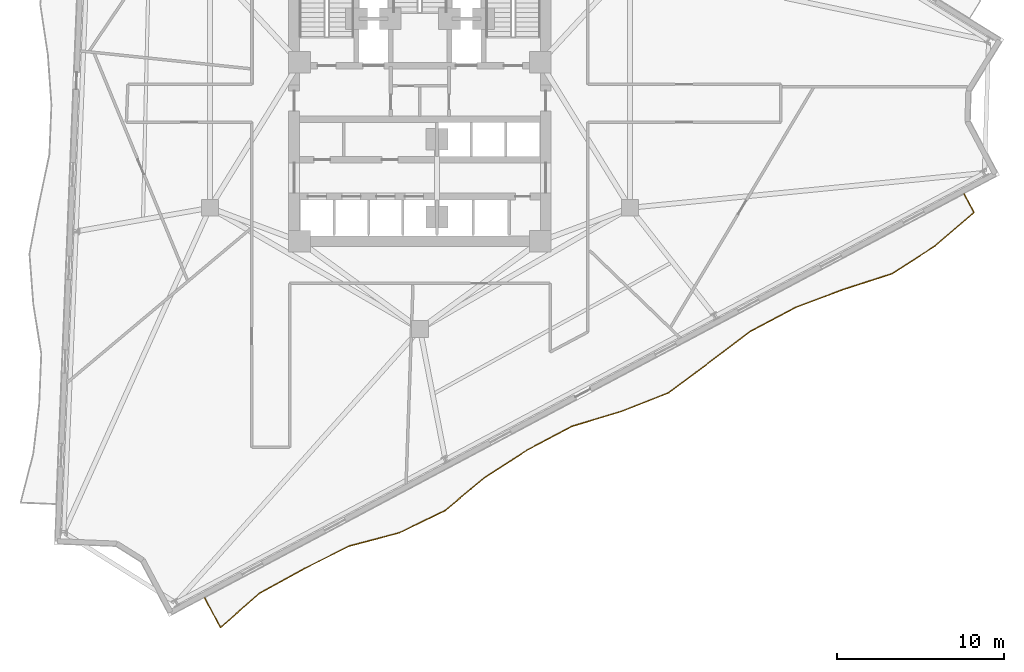
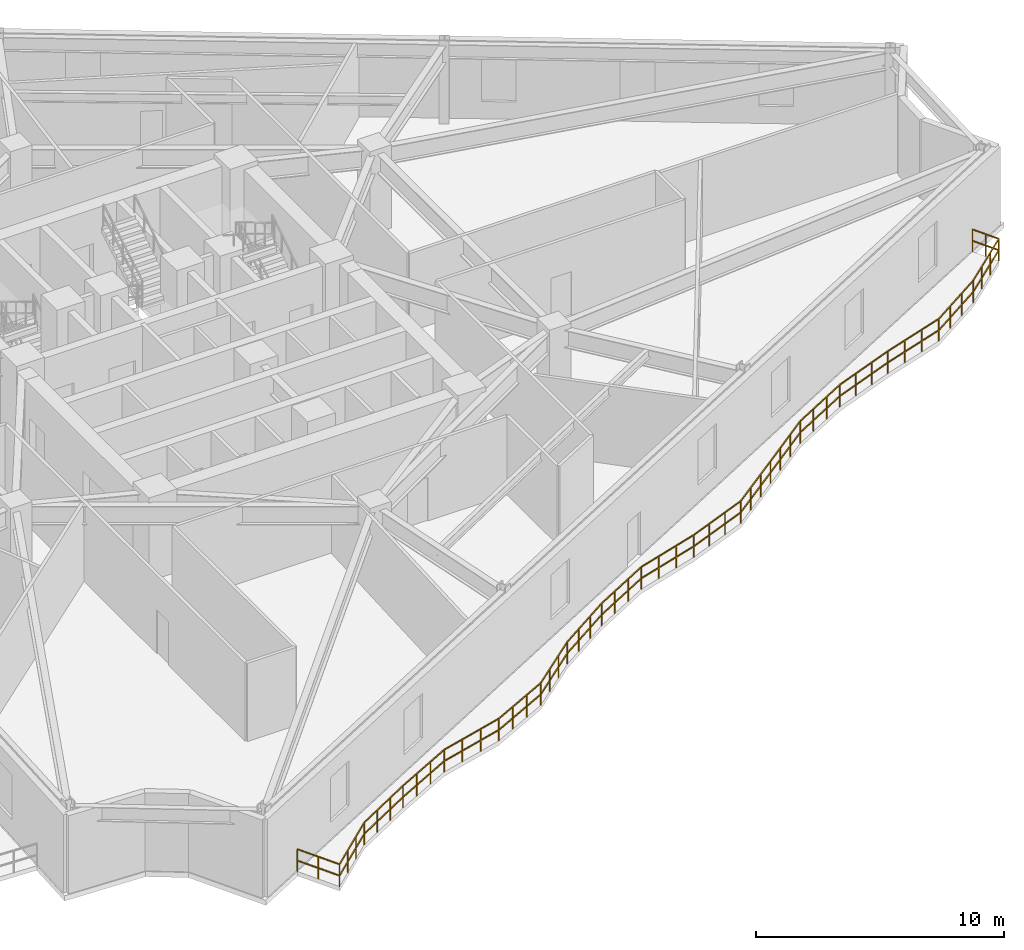
# One storey, part 9 of 12: 1 railing.
"""IFC4 building model written with IfcOpenShell, lengths in metres."""

import ifcopenshell
import ifcopenshell.guid

model = None  # the IFC model being written
_history = None  # IfcOwnerHistory: only IFC2X3 demands one
_inside = {}  # id of a spatial element -> (the spatial element, [elements in it])
_under = {}  # id of a project, library or spatial element -> (it, [spatial elements below it])
_declared = {}  # id of a project -> (the project, [libraries it declares])
_typed = {}  # id of a type object -> (the type object, [elements of that type])
_made_of = {}  # id of a material, layer set ... -> (it, [elements and type objects made of it])


def new_model(schema):
    """Start an empty IFC model of exactly this schema.

    Asked for "IFC4X3", IfcOpenShell would pick the latest addendum, in which some entities
    have other attributes; the version numbers below select the first issue.
    IFC2X3 requires an IfcOwnerHistory on every rooted entity: one is made here for all.
    """
    global model, _history
    if schema == "IFC4X3":
        model = ifcopenshell.file(schema_version=(4, 3, 0, 0))
    else:
        model = ifcopenshell.file(schema=schema)
    _inside.clear()
    _under.clear()
    _declared.clear()
    _typed.clear()
    _made_of.clear()
    _history = None
    if model.schema == "IFC2X3":
        org = make("IfcOrganization", Name="unknown")
        user = make(
            "IfcPersonAndOrganization",
            ThePerson=make("IfcPerson", FamilyName="unknown"),
            TheOrganization=org,
        )
        app = make(
            "IfcApplication",
            ApplicationDeveloper=org,
            Version="unknown",
            ApplicationFullName="unknown",
            ApplicationIdentifier="unknown",
        )
        _history = make(
            "IfcOwnerHistory",
            OwningUser=user,
            OwningApplication=app,
            ChangeAction="ADDED",
            CreationDate=0,
        )
    return model


def make(cls, **values):
    """One entity of the class cls with the attributes given. An attribute that is None is left unset."""
    return model.create_entity(
        cls, **{name: value for name, value in values.items() if value is not None}
    )


def rooted(cls, **values):
    """An entity with a GlobalId (a new one), such as an element, a storey or a relation."""
    return make(cls, GlobalId=ifcopenshell.guid.new(), OwnerHistory=_history, **values)


def si_unit(unit_type, name, prefix=None):
    """IfcSIUnit, for example si_unit("LENGTHUNIT", "METRE", prefix="MILLI")."""
    return make("IfcSIUnit", UnitType=unit_type, Prefix=prefix, Name=name)


def assignment(units):
    """IfcUnitAssignment: the units of a project."""
    return None if units is None else make("IfcUnitAssignment", Units=units)


def point(xyz):
    """IfcCartesianPoint."""
    return None if xyz is None else make("IfcCartesianPoint", Coordinates=xyz)


def direction(xyz):
    """IfcDirection."""
    return None if xyz is None else make("IfcDirection", DirectionRatios=xyz)


def frame(location, z_axis=None, x_axis=None):
    """IfcAxis2Placement3D, a coordinate frame: its origin and axes. An axis left out is left unset."""
    return make(
        "IfcAxis2Placement3D",
        Location=point(location),
        Axis=direction(z_axis),
        RefDirection=direction(x_axis),
    )


def frame_2d(location, x_axis=None):
    """IfcAxis2Placement2D, a coordinate frame in the plane: its origin and x axis."""
    return make(
        "IfcAxis2Placement2D", Location=point(location), RefDirection=direction(x_axis)
    )


def origin():
    """The frame at (0, 0, 0) with its axes left unset."""
    return frame((0.0, 0.0, 0.0))


def origin_2d():
    """The frame at (0, 0) in the plane with its x axis left unset."""
    return frame_2d((0.0, 0.0))


def place(relative_to, where):
    """IfcLocalPlacement: puts the frame where relative to a parent placement (None: the world)."""
    return make(
        "IfcLocalPlacement", PlacementRelTo=relative_to, RelativePlacement=where
    )


def context(
    kind, dimensions, precision=None, world=None, true_north=None, identifier=None
):
    """IfcGeometricRepresentationContext, for example the 3D "Model" context."""
    return make(
        "IfcGeometricRepresentationContext",
        ContextIdentifier=identifier,
        ContextType=kind,
        CoordinateSpaceDimension=dimensions,
        Precision=precision,
        WorldCoordinateSystem=world,
        TrueNorth=true_north,
    )


def subcontext(parent, identifier, kind, view, scale=None):
    """IfcGeometricRepresentationSubContext, for example "Body" below "Model"."""
    return make(
        "IfcGeometricRepresentationSubContext",
        ContextIdentifier=identifier,
        ContextType=kind,
        ParentContext=parent,
        TargetScale=scale,
        TargetView=view,
    )


def project(units=None, contexts=None):
    """IfcProject with its units and contexts."""
    return rooted(
        "IfcProject",
        Name="project",
        RepresentationContexts=contexts,
        UnitsInContext=assignment(units),
    )


def spatial(cls, under=None, at=None, **own):
    """A site, building, storey or space (cls), placed at a placement, below another one or the project."""
    s = rooted(cls, ObjectPlacement=at, **own)
    if under is not None:
        _under.setdefault(under.id(), (under, []))[1].append(s)
    return s


def profile(cls, at=None, kind="AREA", **sizes):
    """A parametric profile (cls). Its sizes go by their IFC names, for example OverallWidth=200.0."""
    return make(cls, ProfileType=kind, Position=at, **sizes)


def rectangle(**sizes):
    """IfcRectangleProfileDef."""
    return profile("IfcRectangleProfileDef", **sizes)


def extrude(swept, where, along, depth):
    """IfcExtrudedAreaSolid: the profile swept, set in the frame where, extruded along a direction by depth."""
    return make(
        "IfcExtrudedAreaSolid",
        SweptArea=swept,
        Position=where,
        ExtrudedDirection=direction(along),
        Depth=depth,
    )


def shape(context_of_items, identifier, shape_type, items):
    """IfcShapeRepresentation: the items that make up one representation, for example the "Body"."""
    return make(
        "IfcShapeRepresentation",
        ContextOfItems=context_of_items,
        RepresentationIdentifier=identifier,
        RepresentationType=shape_type,
        Items=items,
    )


def material(Name=None, Category=None):
    """IfcMaterial."""
    return make("IfcMaterial", Name=Name, Category=Category)


def made_of(thing, what):
    """Note that an element or type object is made of a material, layer set ...; save() writes the relation."""
    if what is not None:
        _made_of.setdefault(what.id(), (what, []))[1].append(thing)
    return thing


def type_object(cls, material=None, **own):
    """A type object (cls), such as IfcWallType, which elements share."""
    return made_of(rooted(cls, **own), material)


def element(
    cls,
    number,
    at=None,
    inside=None,
    cuts=None,
    type_object=None,
    material=None,
    context=None,
    identifier="Body",
    shape_type=None,
    held_by="IfcProductDefinitionShape",
    body=None,
    shapes=None,
    **own,
):
    """One element of the class cls, such as IfcWall. Its Tag is "e" and its number.

    at: its placement. inside: the storey or other place that contains it. cuts: it is an
    opening in that element (IfcRelVoidsElement). A single representation is given by context,
    identifier, shape_type and body (its items); several are given by shapes. held_by: the class
    of the entity that holds the representations. save() writes the other relations.
    """
    e = rooted(cls, Tag="e%d" % number, ObjectPlacement=at, **own)
    if body is not None:
        shapes = [shape(context, identifier, shape_type, body)]
    if shapes is not None:
        e.Representation = make(held_by, Representations=shapes)
    if inside is not None:
        _inside.setdefault(inside.id(), (inside, []))[1].append(e)
    if cuts is not None:
        rooted(
            "IfcRelVoidsElement", RelatingBuildingElement=cuts, RelatedOpeningElement=e
        )
    if type_object is not None:
        _typed.setdefault(type_object.id(), (type_object, []))[1].append(e)
    return made_of(e, material)


def aggregate(whole, parts):
    """IfcRelAggregates: a whole, such as a stair, and the parts it consists of."""
    return rooted("IfcRelAggregates", RelatingObject=whole, RelatedObjects=parts)


def save(model, path):
    """Write the relations noted so far, then the file.

    IfcRelAggregates (storeys below a building ...), IfcRelContainedInSpatialStructure (elements
    in a storey), IfcRelDefinesByType, IfcRelAssociatesMaterial and IfcRelDeclares: one each for
    every whole, place, type object, material and project.
    """
    for whole, parts in _under.values():
        aggregate(whole, parts)
    for where, things in _inside.values():
        rooted(
            "IfcRelContainedInSpatialStructure",
            RelatedElements=things,
            RelatingStructure=where,
        )
    for kind, things in _typed.values():
        rooted("IfcRelDefinesByType", RelatedObjects=things, RelatingType=kind)
    for what, things in _made_of.values():
        rooted("IfcRelAssociatesMaterial", RelatedObjects=things, RelatingMaterial=what)
    for by, libraries in _declared.values():
        rooted("IfcRelDeclares", RelatingContext=by, RelatedDefinitions=libraries)
    model.write(path)


model = new_model("IFC4")

# Units and contexts
model_context = context("Model", 3, precision=1e-05, world=origin(), true_north=direction((0.0, 1.0)))
body_context = subcontext(model_context, "Body", "Model", "MODEL_VIEW")
ifc_project = project(units=[si_unit("LENGTHUNIT", "METRE"), si_unit("AREAUNIT", "SQUARE_METRE"), si_unit("VOLUMEUNIT", "CUBIC_METRE"), si_unit("PLANEANGLEUNIT", "RADIAN"), si_unit("MASSUNIT", "GRAM", prefix="KILO")], contexts=[model_context])

# Site, building, storey
site_placement = place(None, origin())
site = spatial("IfcSite", under=ifc_project, at=site_placement, CompositionType="ELEMENT")
building_placement = place(site_placement, origin())
building = spatial("IfcBuilding", under=site, at=building_placement, Name="Apsidion Concourse Tower", CompositionType="ELEMENT")
storey_placement = place(building_placement, frame((0.0, 0.0, 173.699951171875)))
storey = spatial("IfcBuildingStorey", under=building, at=storey_placement, Name="L40", CompositionType="ELEMENT", Elevation=173.699951171875)

# Railing
ifc_material = material(Name="Brushed stainless steel 316", Category="steel")
railing_type = type_object("IfcRailingType", Name="RL-BAL-1120", PredefinedType="BALUSTRADE", material=ifc_material)
railing_placement = place(storey_placement, frame((32.549560546875, -6.426025390625, 0.0)))
element("IfcRailing", 1, at=railing_placement, inside=storey, type_object=railing_type, Name="L40 Face 2 Rippling Balcony Balustrade", PredefinedType="BALUSTRADE", context=body_context, shape_type="SweptSolid", body=[
    extrude(rectangle(XDim=0.048095703125, YDim=0.048095703125, at=origin_2d()), frame((0.0, 0.0, 1.09619140625), z_axis=(0.469493130662, -0.882936124678, 0.0), x_axis=(0.882936124678, 0.469493130662, 0.0)), (0.0, 0.0, 1.0), 1.25),
    extrude(rectangle(XDim=0.048095703125, YDim=0.048095703125, at=origin_2d()), frame((0.0, 0.0, 0.5361328125), z_axis=(0.469493130662, -0.882936124678, 0.0), x_axis=(0.882936124678, 0.469493130662, 0.0)), (0.0, 0.0, 1.0), 1.25),
    extrude(rectangle(XDim=0.048095703125, YDim=0.048095703125, at=origin_2d()), frame((0.5869140625, -1.103759765625, 1.09619140625), z_axis=(-0.758934222572, -0.651167294794, 0.0), x_axis=(0.651167294794, -0.758934222572, 0.0)), (0.0, 0.0, 1.0), 3.101318359375),
    extrude(rectangle(XDim=0.048095703125, YDim=0.048095703125, at=origin_2d()), frame((0.5869140625, -1.103759765625, 0.5361328125), z_axis=(-0.758934222572, -0.651167294794, 0.0), x_axis=(0.651167294794, -0.758934222572, 0.0)), (0.0, 0.0, 1.0), 3.101318359375),
    extrude(rectangle(XDim=0.048095703125, YDim=0.048095703125, at=origin_2d()), frame((-1.766845703125, -3.123291015625, 1.09619140625), z_axis=(-0.840679210703, -0.541533438203, 0.0), x_axis=(0.541533438203, -0.840679210703, 0.0)), (0.0, 0.0, 1.0), 3.036865234375),
    extrude(rectangle(XDim=0.048095703125, YDim=0.048095703125, at=origin_2d()), frame((-1.766845703125, -3.123291015625, 0.5361328125), z_axis=(-0.840679210703, -0.541533438203, 0.0), x_axis=(0.541533438203, -0.840679210703, 0.0)), (0.0, 0.0, 1.0), 3.036865234375),
    extrude(rectangle(XDim=0.048095703125, YDim=0.048095703125, at=origin_2d()), frame((-4.31982421875, -4.767822265625, 1.09619140625), z_axis=(-0.951527276038, -0.307564372053, 0.0), x_axis=(0.307564372053, -0.951527276038, 0.0)), (0.0, 0.0, 1.0), 3.073486328125),
    extrude(rectangle(XDim=0.048095703125, YDim=0.048095703125, at=origin_2d()), frame((-4.31982421875, -4.767822265625, 0.5361328125), z_axis=(-0.951527276038, -0.307564372053, 0.0), x_axis=(0.307564372053, -0.951527276038, 0.0)), (0.0, 0.0, 1.0), 3.073486328125),
    extrude(rectangle(XDim=0.048095703125, YDim=0.048095703125, at=origin_2d()), frame((-7.244384765625, -5.713134765625, 1.09619140625), z_axis=(-0.936088956542, -0.351763365688, 0.0), x_axis=(0.351763365688, -0.936088956542, 0.0)), (0.0, 0.0, 1.0), 3.0517578125),
    extrude(rectangle(XDim=0.048095703125, YDim=0.048095703125, at=origin_2d()), frame((-7.244384765625, -5.713134765625, 0.5361328125), z_axis=(-0.936088956542, -0.351763365688, 0.0), x_axis=(0.351763365688, -0.936088956542, 0.0)), (0.0, 0.0, 1.0), 3.0517578125),
    extrude(rectangle(XDim=0.048095703125, YDim=0.048095703125, at=origin_2d()), frame((-10.10107421875, -6.78662109375, 1.09619140625), z_axis=(-0.88294852993, -0.469469800408, 0.0), x_axis=(0.469469800408, -0.88294852993, 0.0)), (0.0, 0.0, 1.0), 3.026123046875),
    extrude(rectangle(XDim=0.048095703125, YDim=0.048095703125, at=origin_2d()), frame((-10.10107421875, -6.78662109375, 0.5361328125), z_axis=(-0.88294852993, -0.469469800408, 0.0), x_axis=(0.469469800408, -0.88294852993, 0.0)), (0.0, 0.0, 1.0), 3.026123046875),
    extrude(rectangle(XDim=0.048095703125, YDim=0.048095703125, at=origin_2d()), frame((-12.77294921875, -8.207275390625, 1.09619140625), z_axis=(-0.798630617411, -0.601821515844, 0.0), x_axis=(0.601821515844, -0.798630617411, 0.0)), (0.0, 0.0, 1.0), 3.06396484375),
    extrude(rectangle(XDim=0.048095703125, YDim=0.048095703125, at=origin_2d()), frame((-12.77294921875, -8.207275390625, 0.5361328125), z_axis=(-0.798630617411, -0.601821515844, 0.0), x_axis=(0.601821515844, -0.798630617411, 0.0)), (0.0, 0.0, 1.0), 3.06396484375),
    extrude(rectangle(XDim=0.048095703125, YDim=0.048095703125, at=origin_2d()), frame((-15.219970703125, -10.05126953125, 1.09619140625), z_axis=(-0.800974845842, -0.598698000939, 0.0), x_axis=(0.598698000939, -0.800974845842, 0.0)), (0.0, 0.0, 1.0), 3.06201171875),
    extrude(rectangle(XDim=0.048095703125, YDim=0.048095703125, at=origin_2d()), frame((-15.219970703125, -10.05126953125, 0.5361328125), z_axis=(-0.800974845842, -0.598698000939, 0.0), x_axis=(0.598698000939, -0.800974845842, 0.0)), (0.0, 0.0, 1.0), 3.06201171875),
    extrude(rectangle(XDim=0.048095703125, YDim=0.048095703125, at=origin_2d()), frame((-17.672607421875, -11.884521484375, 1.09619140625), z_axis=(-0.930262526518, -0.366894578533, 0.0), x_axis=(0.366894578533, -0.930262526518, 0.0)), (0.0, 0.0, 1.0), 3.045654296875),
    extrude(rectangle(XDim=0.048095703125, YDim=0.048095703125, at=origin_2d()), frame((-17.672607421875, -11.884521484375, 0.5361328125), z_axis=(-0.930262526518, -0.366894578533, 0.0), x_axis=(0.366894578533, -0.930262526518, 0.0)), (0.0, 0.0, 1.0), 3.045654296875),
    extrude(rectangle(XDim=0.048095703125, YDim=0.048095703125, at=origin_2d()), frame((-20.505859375, -13.001953125, 1.09619140625), z_axis=(-0.957678078756, -0.287841445019, 0.0), x_axis=(0.287841445019, -0.957678078756, 0.0)), (0.0, 0.0, 1.0), 3.085693359375),
    extrude(rectangle(XDim=0.048095703125, YDim=0.048095703125, at=origin_2d()), frame((-20.505859375, -13.001953125, 0.5361328125), z_axis=(-0.957678078756, -0.287841445019, 0.0), x_axis=(0.287841445019, -0.957678078756, 0.0)), (0.0, 0.0, 1.0), 3.085693359375),
    extrude(rectangle(XDim=0.048095703125, YDim=0.048095703125, at=origin_2d()), frame((-23.4609375, -13.89013671875, 1.09619140625), z_axis=(-0.882932870124, -0.469499251176, 0.0), x_axis=(0.469499251176, -0.882932870124, 0.0)), (0.0, 0.0, 1.0), 3.0263671875),
    extrude(rectangle(XDim=0.048095703125, YDim=0.048095703125, at=origin_2d()), frame((-23.4609375, -13.89013671875, 0.5361328125), z_axis=(-0.882932870124, -0.469499251176, 0.0), x_axis=(0.469499251176, -0.882932870124, 0.0)), (0.0, 0.0, 1.0), 3.0263671875),
    extrude(rectangle(XDim=0.048095703125, YDim=0.048095703125, at=origin_2d()), frame((-26.133056640625, -15.31103515625, 1.09619140625), z_axis=(-0.839529178594, -0.54331460342, 0.0), x_axis=(0.54331460342, -0.839529178594, 0.0)), (0.0, 0.0, 1.0), 3.037109375),
    extrude(rectangle(XDim=0.048095703125, YDim=0.048095703125, at=origin_2d()), frame((-26.133056640625, -15.31103515625, 0.5361328125), z_axis=(-0.839529178594, -0.54331460342, 0.0), x_axis=(0.54331460342, -0.839529178594, 0.0)), (0.0, 0.0, 1.0), 3.037109375),
    extrude(rectangle(XDim=0.048095703125, YDim=0.048095703125, at=origin_2d()), frame((-28.682861328125, -16.961181640625, 1.09619140625), z_axis=(-0.76934029017, -0.638839195667, 0.0), x_axis=(0.638839195667, -0.76934029017, 0.0)), (0.0, 0.0, 1.0), 3.090576171875),
    extrude(rectangle(XDim=0.048095703125, YDim=0.048095703125, at=origin_2d()), frame((-28.682861328125, -16.961181640625, 0.5361328125), z_axis=(-0.76934029017, -0.638839195667, 0.0), x_axis=(0.638839195667, -0.76934029017, 0.0)), (0.0, 0.0, 1.0), 3.090576171875),
    extrude(rectangle(XDim=0.048095703125, YDim=0.048095703125, at=origin_2d()), frame((-31.060546875, -18.935546875, 1.09619140625), z_axis=(-0.899228230852, -0.43747981535, 0.0), x_axis=(0.43747981535, -0.899228230852, 0.0)), (0.0, 0.0, 1.0), 3.028076171875),
    extrude(rectangle(XDim=0.048095703125, YDim=0.048095703125, at=origin_2d()), frame((-31.060546875, -18.935546875, 0.5361328125), z_axis=(-0.899228230852, -0.43747981535, 0.0), x_axis=(0.43747981535, -0.899228230852, 0.0)), (0.0, 0.0, 1.0), 3.028076171875),
    extrude(rectangle(XDim=0.048095703125, YDim=0.048095703125, at=origin_2d()), frame((-33.783447265625, -20.26025390625, 1.09619140625), z_axis=(-0.966714372041, -0.255858013143, 0.0), x_axis=(0.255858013143, -0.966714372041, 0.0)), (0.0, 0.0, 1.0), 3.10791015625),
    extrude(rectangle(XDim=0.048095703125, YDim=0.048095703125, at=origin_2d()), frame((-33.783447265625, -20.26025390625, 0.5361328125), z_axis=(-0.966714372041, -0.255858013143, 0.0), x_axis=(0.255858013143, -0.966714372041, 0.0)), (0.0, 0.0, 1.0), 3.10791015625),
    extrude(rectangle(XDim=0.048095703125, YDim=0.048095703125, at=origin_2d()), frame((-36.787841796875, -21.055419921875, 1.09619140625), z_axis=(-0.893538264274, -0.448987049121, 0.0), x_axis=(0.448987049121, -0.893538264274, 0.0)), (0.0, 0.0, 1.0), 3.027099609375),
    extrude(rectangle(XDim=0.048095703125, YDim=0.048095703125, at=origin_2d()), frame((-36.787841796875, -21.055419921875, 0.5361328125), z_axis=(-0.893538264274, -0.448987049121, 0.0), x_axis=(0.448987049121, -0.893538264274, 0.0)), (0.0, 0.0, 1.0), 3.027099609375),
    extrude(rectangle(XDim=0.048095703125, YDim=0.048095703125, at=origin_2d()), frame((-39.49267578125, -22.41455078125, 1.09619140625), z_axis=(-0.875871654893, -0.482544137002, 0.0), x_axis=(0.482544137002, -0.875871654893, 0.0)), (0.0, 0.0, 1.0), 3.026611328125),
    extrude(rectangle(XDim=0.048095703125, YDim=0.048095703125, at=origin_2d()), frame((-39.49267578125, -22.41455078125, 0.5361328125), z_axis=(-0.875871654893, -0.482544137002, 0.0), x_axis=(0.482544137002, -0.875871654893, 0.0)), (0.0, 0.0, 1.0), 3.026611328125),
    extrude(rectangle(XDim=0.048095703125, YDim=0.048095703125, at=origin_2d()), frame((-42.1435546875, -23.875, 1.09619140625), z_axis=(-0.751432629675, -0.659809823403, 0.0), x_axis=(0.659809823403, -0.751432629675, 0.0)), (0.0, 0.0, 1.0), 3.109619140625),
    extrude(rectangle(XDim=0.048095703125, YDim=0.048095703125, at=origin_2d()), frame((-42.1435546875, -23.875, 0.5361328125), z_axis=(-0.751432629675, -0.659809823403, 0.0), x_axis=(0.659809823403, -0.751432629675, 0.0)), (0.0, 0.0, 1.0), 3.109619140625),
    extrude(rectangle(XDim=0.048095703125, YDim=0.048095703125, at=origin_2d()), frame((-44.480224609375, -25.9267578125, 1.09619140625), z_axis=(-0.469427602063, 0.882970965786, 0.0), x_axis=(-0.882970965786, -0.469427602063, 0.0)), (0.0, 0.0, 1.0), 2.009521484375),
    extrude(rectangle(XDim=0.048095703125, YDim=0.048095703125, at=origin_2d()), frame((-44.480224609375, -25.9267578125, 0.5361328125), z_axis=(-0.469427602063, 0.882970965786, 0.0), x_axis=(-0.882970965786, -0.469427602063, 0.0)), (0.0, 0.0, 1.0), 2.009521484375),
    extrude(rectangle(XDim=0.0419921875, YDim=0.0419921875, at=origin_2d()), origin(), (0.0, 0.0, 1.0), 1.072021484375),
    extrude(rectangle(XDim=0.0419921875, YDim=0.0419921875, at=origin_2d()), frame((0.29345703125, -0.5517578125, 0.0)), (0.0, 0.0, 1.0), 1.072021484375),
    extrude(rectangle(XDim=0.0419921875, YDim=0.0419921875, at=origin_2d()), frame((0.5869140625, -1.103759765625, 0.0)), (0.0, 0.0, 1.0), 1.072021484375),
    extrude(rectangle(XDim=0.0419921875, YDim=0.0419921875, at=origin_2d()), frame((-0.19775390625, -1.77685546875, 0.0)), (0.0, 0.0, 1.0), 1.072021484375),
    extrude(rectangle(XDim=0.0419921875, YDim=0.0419921875, at=origin_2d()), frame((-0.982177734375, -2.4501953125, 0.0)), (0.0, 0.0, 1.0), 1.072021484375),
    extrude(rectangle(XDim=0.0419921875, YDim=0.0419921875, at=origin_2d()), frame((-1.766845703125, -3.123291015625, 0.0)), (0.0, 0.0, 1.0), 1.072021484375),
    extrude(rectangle(XDim=0.0419921875, YDim=0.0419921875, at=origin_2d()), frame((-2.617919921875, -3.67138671875, 0.0)), (0.0, 0.0, 1.0), 1.072021484375),
    extrude(rectangle(XDim=0.0419921875, YDim=0.0419921875, at=origin_2d()), frame((-3.46875, -4.2197265625, 0.0)), (0.0, 0.0, 1.0), 1.072021484375),
    extrude(rectangle(XDim=0.0419921875, YDim=0.0419921875, at=origin_2d()), frame((-4.31982421875, -4.767822265625, 0.0)), (0.0, 0.0, 1.0), 1.072021484375),
    extrude(rectangle(XDim=0.0419921875, YDim=0.0419921875, at=origin_2d()), frame((-5.294677734375, -5.0830078125, 0.0)), (0.0, 0.0, 1.0), 1.072021484375),
    extrude(rectangle(XDim=0.0419921875, YDim=0.0419921875, at=origin_2d()), frame((-6.26953125, -5.39794921875, 0.0)), (0.0, 0.0, 1.0), 1.072021484375),
    extrude(rectangle(XDim=0.0419921875, YDim=0.0419921875, at=origin_2d()), frame((-7.244384765625, -5.713134765625, 0.0)), (0.0, 0.0, 1.0), 1.072021484375),
    extrude(rectangle(XDim=0.0419921875, YDim=0.0419921875, at=origin_2d()), frame((-8.196533203125, -6.071044921875, 0.0)), (0.0, 0.0, 1.0), 1.072021484375),
    extrude(rectangle(XDim=0.0419921875, YDim=0.0419921875, at=origin_2d()), frame((-9.14892578125, -6.4287109375, 0.0)), (0.0, 0.0, 1.0), 1.072021484375),
    extrude(rectangle(XDim=0.0419921875, YDim=0.0419921875, at=origin_2d()), frame((-10.10107421875, -6.78662109375, 0.0)), (0.0, 0.0, 1.0), 1.072021484375),
    extrude(rectangle(XDim=0.0419921875, YDim=0.0419921875, at=origin_2d()), frame((-10.99169921875, -7.26025390625, 0.0)), (0.0, 0.0, 1.0), 1.072021484375),
    extrude(rectangle(XDim=0.0419921875, YDim=0.0419921875, at=origin_2d()), frame((-11.88232421875, -7.733642578125, 0.0)), (0.0, 0.0, 1.0), 1.072021484375),
    extrude(rectangle(XDim=0.0419921875, YDim=0.0419921875, at=origin_2d()), frame((-12.77294921875, -8.207275390625, 0.0)), (0.0, 0.0, 1.0), 1.072021484375),
    extrude(rectangle(XDim=0.0419921875, YDim=0.0419921875, at=origin_2d()), frame((-13.588623046875, -8.822021484375, 0.0)), (0.0, 0.0, 1.0), 1.072021484375),
    extrude(rectangle(XDim=0.0419921875, YDim=0.0419921875, at=origin_2d()), frame((-14.404296875, -9.4365234375, 0.0)), (0.0, 0.0, 1.0), 1.072021484375),
    extrude(rectangle(XDim=0.0419921875, YDim=0.0419921875, at=origin_2d()), frame((-15.219970703125, -10.05126953125, 0.0)), (0.0, 0.0, 1.0), 1.072021484375),
    extrude(rectangle(XDim=0.0419921875, YDim=0.0419921875, at=origin_2d()), frame((-16.03759765625, -10.662353515625, 0.0)), (0.0, 0.0, 1.0), 1.072021484375),
    extrude(rectangle(XDim=0.0419921875, YDim=0.0419921875, at=origin_2d()), frame((-16.85498046875, -11.2734375, 0.0)), (0.0, 0.0, 1.0), 1.072021484375),
    extrude(rectangle(XDim=0.0419921875, YDim=0.0419921875, at=origin_2d()), frame((-17.672607421875, -11.884521484375, 0.0)), (0.0, 0.0, 1.0), 1.072021484375),
    extrude(rectangle(XDim=0.0419921875, YDim=0.0419921875, at=origin_2d()), frame((-18.616943359375, -12.257080078125, 0.0)), (0.0, 0.0, 1.0), 1.072021484375),
    extrude(rectangle(XDim=0.0419921875, YDim=0.0419921875, at=origin_2d()), frame((-19.5615234375, -12.62939453125, 0.0)), (0.0, 0.0, 1.0), 1.072021484375),
    extrude(rectangle(XDim=0.0419921875, YDim=0.0419921875, at=origin_2d()), frame((-20.505859375, -13.001953125, 0.0)), (0.0, 0.0, 1.0), 1.072021484375),
    extrude(rectangle(XDim=0.0419921875, YDim=0.0419921875, at=origin_2d()), frame((-21.490966796875, -13.298095703125, 0.0)), (0.0, 0.0, 1.0), 1.072021484375),
    extrude(rectangle(XDim=0.0419921875, YDim=0.0419921875, at=origin_2d()), frame((-22.475830078125, -13.593994140625, 0.0)), (0.0, 0.0, 1.0), 1.072021484375),
    extrude(rectangle(XDim=0.0419921875, YDim=0.0419921875, at=origin_2d()), frame((-23.4609375, -13.89013671875, 0.0)), (0.0, 0.0, 1.0), 1.072021484375),
    extrude(rectangle(XDim=0.0419921875, YDim=0.0419921875, at=origin_2d()), frame((-24.3515625, -14.36376953125, 0.0)), (0.0, 0.0, 1.0), 1.072021484375),
    extrude(rectangle(XDim=0.0419921875, YDim=0.0419921875, at=origin_2d()), frame((-25.242431640625, -14.83740234375, 0.0)), (0.0, 0.0, 1.0), 1.072021484375),
    extrude(rectangle(XDim=0.0419921875, YDim=0.0419921875, at=origin_2d()), frame((-26.133056640625, -15.31103515625, 0.0)), (0.0, 0.0, 1.0), 1.072021484375),
    extrude(rectangle(XDim=0.0419921875, YDim=0.0419921875, at=origin_2d()), frame((-26.98291015625, -15.861083984375, 0.0)), (0.0, 0.0, 1.0), 1.072021484375),
    extrude(rectangle(XDim=0.0419921875, YDim=0.0419921875, at=origin_2d()), frame((-27.8330078125, -16.4111328125, 0.0)), (0.0, 0.0, 1.0), 1.072021484375),
    extrude(rectangle(XDim=0.0419921875, YDim=0.0419921875, at=origin_2d()), frame((-28.682861328125, -16.961181640625, 0.0)), (0.0, 0.0, 1.0), 1.072021484375),
    extrude(rectangle(XDim=0.0419921875, YDim=0.0419921875, at=origin_2d()), frame((-29.475341796875, -17.619384765625, 0.0)), (0.0, 0.0, 1.0), 1.072021484375),
    extrude(rectangle(XDim=0.0419921875, YDim=0.0419921875, at=origin_2d()), frame((-30.26806640625, -18.27734375, 0.0)), (0.0, 0.0, 1.0), 1.072021484375),
    extrude(rectangle(XDim=0.0419921875, YDim=0.0419921875, at=origin_2d()), frame((-31.060546875, -18.935546875, 0.0)), (0.0, 0.0, 1.0), 1.072021484375),
    extrude(rectangle(XDim=0.0419921875, YDim=0.0419921875, at=origin_2d()), frame((-31.96826171875, -19.377197265625, 0.0)), (0.0, 0.0, 1.0), 1.072021484375),
    extrude(rectangle(XDim=0.0419921875, YDim=0.0419921875, at=origin_2d()), frame((-32.875732421875, -19.818603515625, 0.0)), (0.0, 0.0, 1.0), 1.072021484375),
    extrude(rectangle(XDim=0.0419921875, YDim=0.0419921875, at=origin_2d()), frame((-33.783447265625, -20.26025390625, 0.0)), (0.0, 0.0, 1.0), 1.072021484375),
    extrude(rectangle(XDim=0.0419921875, YDim=0.0419921875, at=origin_2d()), frame((-34.784912109375, -20.525390625, 0.0)), (0.0, 0.0, 1.0), 1.072021484375),
    extrude(rectangle(XDim=0.0419921875, YDim=0.0419921875, at=origin_2d()), frame((-35.786376953125, -20.790283203125, 0.0)), (0.0, 0.0, 1.0), 1.072021484375),
    extrude(rectangle(XDim=0.0419921875, YDim=0.0419921875, at=origin_2d()), frame((-36.787841796875, -21.055419921875, 0.0)), (0.0, 0.0, 1.0), 1.072021484375),
    extrude(rectangle(XDim=0.0419921875, YDim=0.0419921875, at=origin_2d()), frame((-37.689453125, -21.508544921875, 0.0)), (0.0, 0.0, 1.0), 1.072021484375),
    extrude(rectangle(XDim=0.0419921875, YDim=0.0419921875, at=origin_2d()), frame((-38.591064453125, -21.96142578125, 0.0)), (0.0, 0.0, 1.0), 1.072021484375),
    extrude(rectangle(XDim=0.0419921875, YDim=0.0419921875, at=origin_2d()), frame((-39.49267578125, -22.41455078125, 0.0)), (0.0, 0.0, 1.0), 1.072021484375),
    extrude(rectangle(XDim=0.0419921875, YDim=0.0419921875, at=origin_2d()), frame((-40.376220703125, -22.9013671875, 0.0)), (0.0, 0.0, 1.0), 1.072021484375),
    extrude(rectangle(XDim=0.0419921875, YDim=0.0419921875, at=origin_2d()), frame((-41.260009765625, -23.38818359375, 0.0)), (0.0, 0.0, 1.0), 1.072021484375),
    extrude(rectangle(XDim=0.0419921875, YDim=0.0419921875, at=origin_2d()), frame((-42.1435546875, -23.875, 0.0)), (0.0, 0.0, 1.0), 1.072021484375),
    extrude(rectangle(XDim=0.0419921875, YDim=0.0419921875, at=origin_2d()), frame((-42.92236328125, -24.558837890625, 0.0)), (0.0, 0.0, 1.0), 1.072021484375),
    extrude(rectangle(XDim=0.0419921875, YDim=0.0419921875, at=origin_2d()), frame((-43.701416015625, -25.242919921875, 0.0)), (0.0, 0.0, 1.0), 1.072021484375),
    extrude(rectangle(XDim=0.0419921875, YDim=0.0419921875, at=origin_2d()), frame((-44.480224609375, -25.9267578125, 0.0)), (0.0, 0.0, 1.0), 1.072021484375),
    extrude(rectangle(XDim=0.0419921875, YDim=0.0419921875, at=origin_2d()), frame((-44.951904296875, -25.03955078125, 0.0)), (0.0, 0.0, 1.0), 1.072021484375),
    extrude(rectangle(XDim=0.0419921875, YDim=0.0419921875, at=origin_2d()), frame((-45.423583984375, -24.15234375, 0.0)), (0.0, 0.0, 1.0), 1.072021484375),
])

save(model, "model.ifc")
